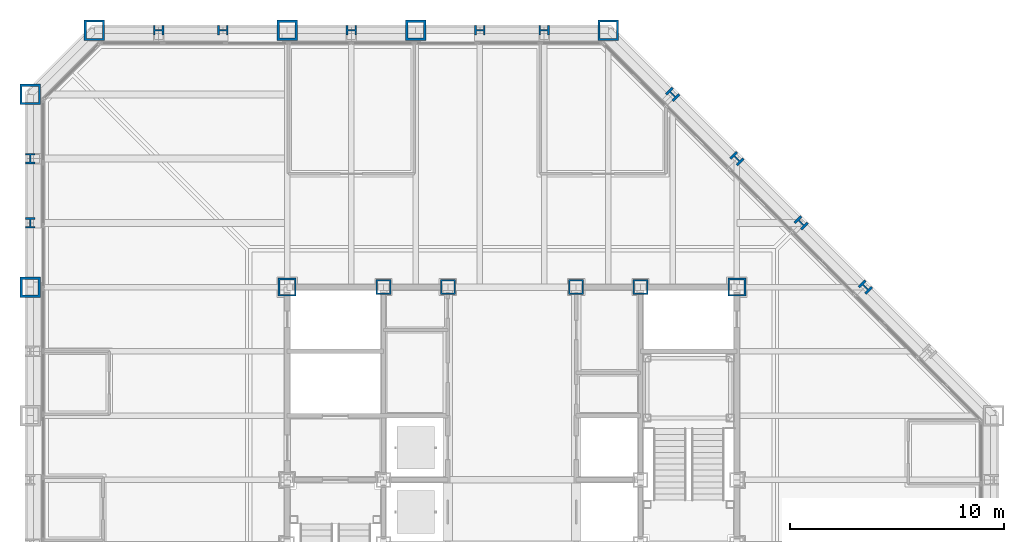
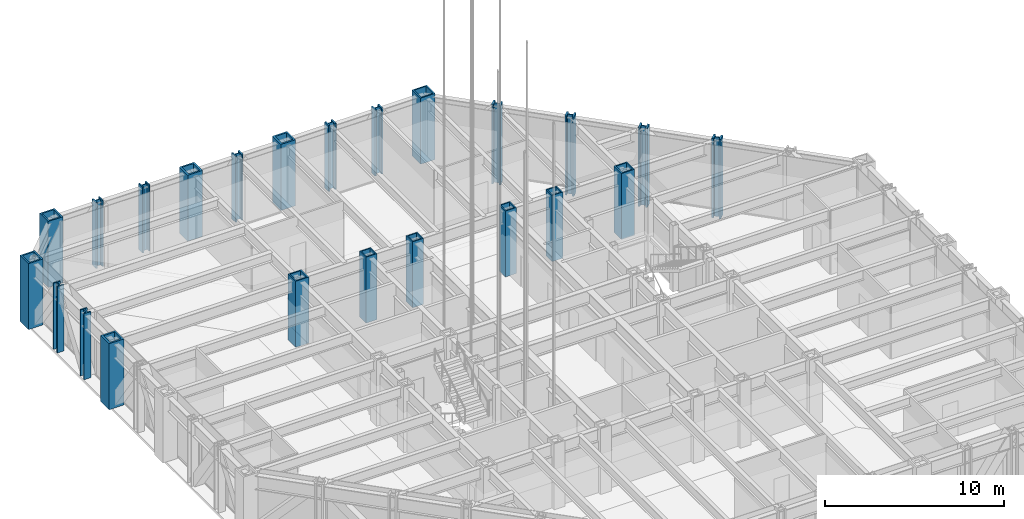
# One storey, part 3 of 26: 23 columns.
"""IFC4 building model written with IfcOpenShell, lengths in metres."""

from ifc_helpers import new_model, si_unit, direction, frame, origin, origin_2d, place, context, subcontext, project, spatial, hollow_rectangle, i_section, extrude, material, material_profile, profile_set, type_object, element, save


model = new_model("IFC4")

# Units and contexts
model_context = context("Model", 3, precision=1e-05, world=origin(), true_north=direction((0.0, 1.0)))
body_context = subcontext(model_context, "Body", "Model", "MODEL_VIEW")
ifc_project = project(units=[si_unit("LENGTHUNIT", "METRE"), si_unit("AREAUNIT", "SQUARE_METRE"), si_unit("VOLUMEUNIT", "CUBIC_METRE"), si_unit("PLANEANGLEUNIT", "RADIAN"), si_unit("MASSUNIT", "GRAM", prefix="KILO")], contexts=[model_context])

# Site, building, storey
site_placement = place(None, origin())
site = spatial("IfcSite", under=ifc_project, at=site_placement, CompositionType="ELEMENT")
building_placement = place(site_placement, origin())
building = spatial("IfcBuilding", under=site, at=building_placement, Name="Chuquiago Exchange Tower", CompositionType="ELEMENT")
storey_placement = place(building_placement, frame((0.0, 0.0, 102.300048828125)))
storey = spatial("IfcBuildingStorey", under=building, at=storey_placement, Name="L21", CompositionType="ELEMENT", Elevation=102.300048828125)

# Columns
ifc_material_1 = material(Name="Steel ASTM A992", Category="steel")
ifc_material_profile_1 = material_profile(ifc_material_1, i_section(OverallWidth=0.431884765625, OverallDepth=0.497802734375, WebThickness=0.0556640625, FlangeThickness=0.0888671875, at=origin_2d()), Name="W14X500")
ifc_profile_set_1 = profile_set([ifc_material_profile_1], Name="Steel ASTM A992")
column_type_1 = type_object("IfcColumnType", Name="C3 W14X500", PredefinedType="COLUMN", material=ifc_profile_set_1)
for number, where, z_axis, x_axis, name in (
    (1, (24.0, 45.0, 0.0), (0.0, 0.0, 1.0), (0.0, 1.0, 0.0), "COL-L21-24_45"),
    (2, (21.0, 45.0, 0.0), (0.0, 0.0, 1.0), (0.0, 1.0, 0.0), "COL-L21-21_45"),
    (3, (15.0, 45.0, 0.0), (0.0, 0.0, 1.0), (0.0, 1.0, 0.0), "COL-L21-15_45"),
    (4, (9.0, 45.0, 0.0), (0.0, 0.0, 1.0), (0.0, 1.0, 0.0), "COL-L21-9_45"),
    (5, (6.0, 45.0, 0.0), (0.0, 0.0, 1.0), (0.0, 1.0, 0.0), "COL-L21-6_45"),
    (6, (0.0, 39.0, 0.0), (0.0, 0.0, 1.0), (-1.0, 0.0, 0.0), "COL-L21-0_39"),
    (7, (0.0, 36.0, 0.0), (0.0, 0.0, 1.0), (-1.0, 0.0, 0.0), "COL-L21-0_36"),
):
    element("IfcColumn", number, at=place(storey_placement, frame(where, z_axis=z_axis, x_axis=x_axis)), inside=storey, type_object=column_type_1, Name=name, PredefinedType="COLUMN", context=body_context, shape_type="SweptSolid", body=[
        extrude(i_section(OverallWidth=0.431884765625, OverallDepth=0.497802734375, WebThickness=0.0556640625, FlangeThickness=0.0888671875, at=origin_2d()), origin(), (0.0, 0.0, 1.0), 4.5),
    ])
ifc_material_2 = material(Name="Steel ASTM A572 Grade 50", Category="steel")
ifc_material_profile_2 = material_profile(ifc_material_2, hollow_rectangle(XDim=0.699951171875, YDim=0.699951171875, WallThickness=0.070068359375, at=origin_2d()), Name="BOX700X700X70")
ifc_profile_set_2 = profile_set([ifc_material_profile_2], Name="Steel ASTM A572 Grade 50")
column_type_2 = type_object("IfcColumnType", Name="CC3 BOX700X700X70", PredefinedType="COLUMN", material=ifc_profile_set_2)
for number, where, z_axis, x_axis, name in (
    (8, (16.5, 33.0, 0.0), (0.0, 0.0, 1.0), (1.0, 0.0, 0.0), "CCOL-L21-16.5_33"),
    (9, (19.5, 33.0, 0.0), (0.0, 0.0, 1.0), (1.0, 0.0, 0.0), "CCOL-L21-19.5_33"),
    (10, (25.5, 33.0, 0.0), (0.0, 0.0, 1.0), (1.0, 0.0, 0.0), "CCOL-L21-25.5_33"),
    (11, (28.5, 33.0, 0.0), (0.0, 0.0, 1.0), (1.0, 0.0, 0.0), "CCOL-L21-28.5_33"),
):
    element("IfcColumn", number, at=place(storey_placement, frame(where, z_axis=z_axis, x_axis=x_axis)), inside=storey, type_object=column_type_2, Name=name, PredefinedType="COLUMN", context=body_context, shape_type="SweptSolid", body=[
        extrude(hollow_rectangle(XDim=0.699951171875, YDim=0.699951171875, WallThickness=0.070068359375, at=origin_2d()), origin(), (0.0, 0.0, 1.0), 4.5),
    ])
ifc_material_3 = material(Name="Steel ASTM A572 Grade 50", Category="steel")
ifc_material_profile_3 = material_profile(ifc_material_3, hollow_rectangle(XDim=0.85009765625, YDim=0.85009765625, WallThickness=0.0849609375, at=origin_2d()), Name="BOX850X850X85")
ifc_profile_set_3 = profile_set([ifc_material_profile_3], Name="Steel ASTM A572 Grade 50")
column_type_3 = type_object("IfcColumnType", Name="CC6 BOX850X850X85", PredefinedType="COLUMN", material=ifc_profile_set_3)
for number, where, z_axis, x_axis, name in (
    (12, (12.0, 33.0, 0.0), (0.0, 0.0, 1.0), (1.0, 0.0, 0.0), "CCOL-L21-12_33"),
    (13, (33.0, 33.0, 0.0), (0.0, 0.0, 1.0), (1.0, 0.0, 0.0), "CCOL-L21-33_33"),
):
    element("IfcColumn", number, at=place(storey_placement, frame(where, z_axis=z_axis, x_axis=x_axis)), inside=storey, type_object=column_type_3, Name=name, PredefinedType="COLUMN", context=body_context, shape_type="SweptSolid", body=[
        extrude(hollow_rectangle(XDim=0.85009765625, YDim=0.85009765625, WallThickness=0.0849609375, at=origin_2d()), origin(), (0.0, 0.0, 1.0), 4.5),
    ])
ifc_material_4 = material(Name="Steel ASTM A992", Category="steel")
ifc_material_profile_4 = material_profile(ifc_material_4, i_section(OverallWidth=0.44189453125, OverallDepth=0.53076171875, WebThickness=0.06591796875, FlangeThickness=0.105712890625, at=origin_2d()), Name="W14X605")
ifc_profile_set_4 = profile_set([ifc_material_profile_4], Name="Steel ASTM A992")
column_type_4 = type_object("IfcColumnType", Name="CK3 W14X605", PredefinedType="COLUMN", material=ifc_profile_set_4)
for number, where, z_axis, x_axis, name in (
    (14, (39.0, 33.0, -0.91015625), (0.0, 0.0, 1.0), (0.707106781187, 0.707106781187, 0.0), "COL-L21-39_33"),
    (15, (36.0, 36.0, -0.91015625), (0.0, 0.0, 1.0), (0.707106781187, 0.707106781187, 0.0), "COL-L21-36_36"),
    (16, (33.0, 39.0, -0.91015625), (0.0, 0.0, 1.0), (0.707106781187, 0.707106781187, 0.0), "COL-L21-33_39"),
    (17, (30.0, 42.0, -0.91015625), (0.0, 0.0, 1.0), (0.707106781187, 0.707106781187, 0.0), "COL-L21-30_42"),
):
    element("IfcColumn", number, at=place(storey_placement, frame(where, z_axis=z_axis, x_axis=x_axis)), inside=storey, type_object=column_type_4, Name=name, PredefinedType="COLUMN", context=body_context, shape_type="SweptSolid", body=[
        extrude(i_section(OverallWidth=0.44189453125, OverallDepth=0.53076171875, WebThickness=0.06591796875, FlangeThickness=0.105712890625, at=origin_2d()), origin(), (0.0, 0.0, 1.0), 5.41015625),
    ])
ifc_material_5 = material(Name="Steel ASTM A572 Grade 50", Category="steel")
ifc_material_profile_5 = material_profile(ifc_material_5, hollow_rectangle(XDim=0.949951171875, YDim=0.949951171875, WallThickness=0.094970703125, at=origin_2d()), Name="BOX950X950X95")
ifc_profile_set_5 = profile_set([ifc_material_profile_5], Name="Steel ASTM A572 Grade 50")
column_type_5 = type_object("IfcColumnType", Name="CN1 BOX950X950X95", PredefinedType="COLUMN", material=ifc_profile_set_5)
for number, where, z_axis, x_axis, name in (
    (18, (27.0, 45.0, 0.0), (0.0, 0.0, 1.0), (0.0, 1.0, 0.0), "COL-L21-27_45"),
    (19, (3.0, 45.0, 0.0), (0.0, 0.0, 1.0), (0.0, 1.0, 0.0), "COL-L21-3_45"),
    (20, (0.0, 42.0, 0.0), (0.0, 0.0, 1.0), (-1.0, 0.0, 0.0), "COL-L21-0_42"),
):
    element("IfcColumn", number, at=place(storey_placement, frame(where, z_axis=z_axis, x_axis=x_axis)), inside=storey, type_object=column_type_5, Name=name, PredefinedType="COLUMN", context=body_context, shape_type="SweptSolid", body=[
        extrude(hollow_rectangle(XDim=0.949951171875, YDim=0.949951171875, WallThickness=0.094970703125, at=origin_2d()), origin(), (0.0, 0.0, 1.0), 4.5),
    ])
ifc_material_6 = material(Name="Steel ASTM A572 Grade 42", Category="steel")
ifc_material_profile_6 = material_profile(ifc_material_6, hollow_rectangle(XDim=0.949951171875, YDim=0.949951171875, WallThickness=0.110107421875, at=origin_2d()), Name="BOX950X950X110")
ifc_profile_set_6 = profile_set([ifc_material_profile_6], Name="Steel ASTM A572 Grade 42")
column_type_6 = type_object("IfcColumnType", Name="CT1 BOX950X950X110", PredefinedType="COLUMN", material=ifc_profile_set_6)
for number, where, z_axis, x_axis, name in (
    (21, (18.0, 45.0, 0.0), (0.0, 0.0, 1.0), (0.0, 1.0, 0.0), "COL-L21-18_45"),
    (22, (12.0, 45.0, 0.0), (0.0, 0.0, 1.0), (0.0, 1.0, 0.0), "COL-L21-12_45"),
    (23, (0.0, 33.0, 0.0), (0.0, 0.0, 1.0), (-1.0, 0.0, 0.0), "COL-L21-0_33"),
):
    element("IfcColumn", number, at=place(storey_placement, frame(where, z_axis=z_axis, x_axis=x_axis)), inside=storey, type_object=column_type_6, Name=name, PredefinedType="COLUMN", context=body_context, shape_type="SweptSolid", body=[
        extrude(hollow_rectangle(XDim=0.949951171875, YDim=0.949951171875, WallThickness=0.110107421875, at=origin_2d()), origin(), (0.0, 0.0, 1.0), 4.5),
    ])

save(model, "model.ifc")
